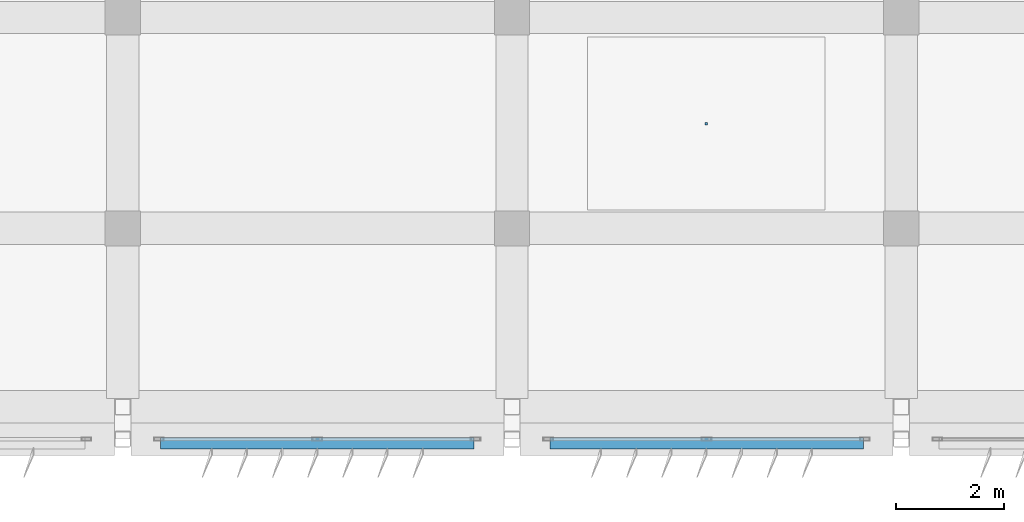
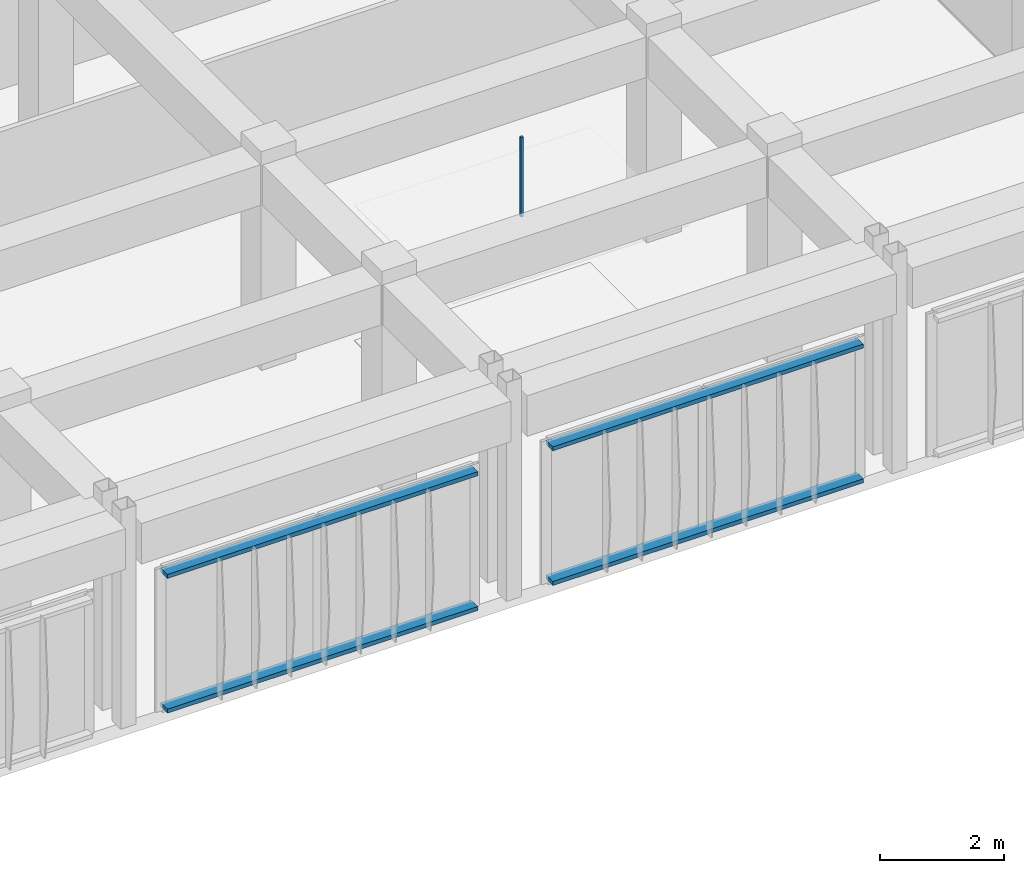
# One storey, part 40 of 53: 5 discrete accessories.
"""IFC4 building model written with IfcOpenShell, lengths in metres."""

from ifc_helpers import new_model, si_unit, direction, frame, origin, origin_2d, place, context, subcontext, project, spatial, rectangle, extrude, material, type_object, element, save


model = new_model("IFC4")

# Units and contexts
model_context = context("Model", 3, precision=1e-05, world=origin(), true_north=direction((0.0, 1.0)))
body_context = subcontext(model_context, "Body", "Model", "MODEL_VIEW")
ifc_project = project(units=[si_unit("LENGTHUNIT", "METRE"), si_unit("AREAUNIT", "SQUARE_METRE"), si_unit("VOLUMEUNIT", "CUBIC_METRE"), si_unit("PLANEANGLEUNIT", "RADIAN"), si_unit("MASSUNIT", "GRAM", prefix="KILO")], contexts=[model_context])

# Site, building, storey
site_placement = place(None, origin())
site = spatial("IfcSite", under=ifc_project, at=site_placement, CompositionType="ELEMENT")
building_placement = place(site_placement, origin())
building = spatial("IfcBuilding", under=site, at=building_placement, Name="Kazehaya Institute of Natural Sciences", CompositionType="ELEMENT")
storey_placement = place(building_placement, frame((0.0, 0.0, 33.300048828125)))
storey = spatial("IfcBuildingStorey", under=building, at=storey_placement, Name="L07", CompositionType="ELEMENT", Elevation=33.300048828125)

# Discrete accessories
ifc_material_1 = material(Name="Aluminium alloy A6063S-T5", Category="aluminium")
discrete_accessory_type_1 = type_object("IfcDiscreteAccessoryType", Name="ACC-BRK-01", PredefinedType="BRACKET", material=ifc_material_1)
for number, where, z_axis, x_axis, name in (
    (1, (108.60009765625, 6.125, 0.039794921875), (0.0, 0.0, 1.0), (-1.0, 0.0, 0.0), "L07 fin support outrigger rail 1"),
    (2, (108.60009765625, 6.125, 2.699951171875), (0.0, 0.0, 1.0), (-1.0, 0.0, 0.0), "L07 fin support outrigger rail 2"),
    (3, (101.39990234375, 6.125, 0.039794921875), (0.0, 0.0, 1.0), (-1.0, 0.0, 0.0), "L07 fin support outrigger rail 1"),
    (4, (101.39990234375, 6.125, 2.699951171875), (0.0, 0.0, 1.0), (-1.0, 0.0, 0.0), "L07 fin support outrigger rail 2"),
):
    element("IfcDiscreteAccessory", number, at=place(storey_placement, frame(where, z_axis=z_axis, x_axis=x_axis)), inside=storey, type_object=discrete_accessory_type_1, Name=name, PredefinedType="BRACKET", context=body_context, shape_type="SweptSolid", body=[
        extrude(rectangle(XDim=5.800048828125, YDim=0.219970703125, at=origin_2d()), origin(), (0.0, 0.0, 1.0), 0.080078125),
    ])
ifc_material_2 = material(Name="Structural steel SN490B", Category="steel")
discrete_accessory_type_2 = type_object("IfcDiscreteAccessoryType", Name="ACC-CLG-HGR", PredefinedType="BRACKET", material=ifc_material_2)
discrete_accessory_placement = place(storey_placement, frame((108.59228515625, 12.035888671875, 2.67236328125), z_axis=(0.0, 0.0, 1.0), x_axis=(1.0, 0.0, 0.0)))
element("IfcDiscreteAccessory", 5, at=discrete_accessory_placement, inside=storey, type_object=discrete_accessory_type_2, Name="L07 ceiling suspension hanger 66", PredefinedType="BRACKET", context=body_context, shape_type="SweptSolid", body=[
    extrude(rectangle(XDim=0.050048828125, YDim=0.050048828125, at=origin_2d()), origin(), (0.0, 0.0, 1.0), 1.5673828125),
])

save(model, "model.ifc")
